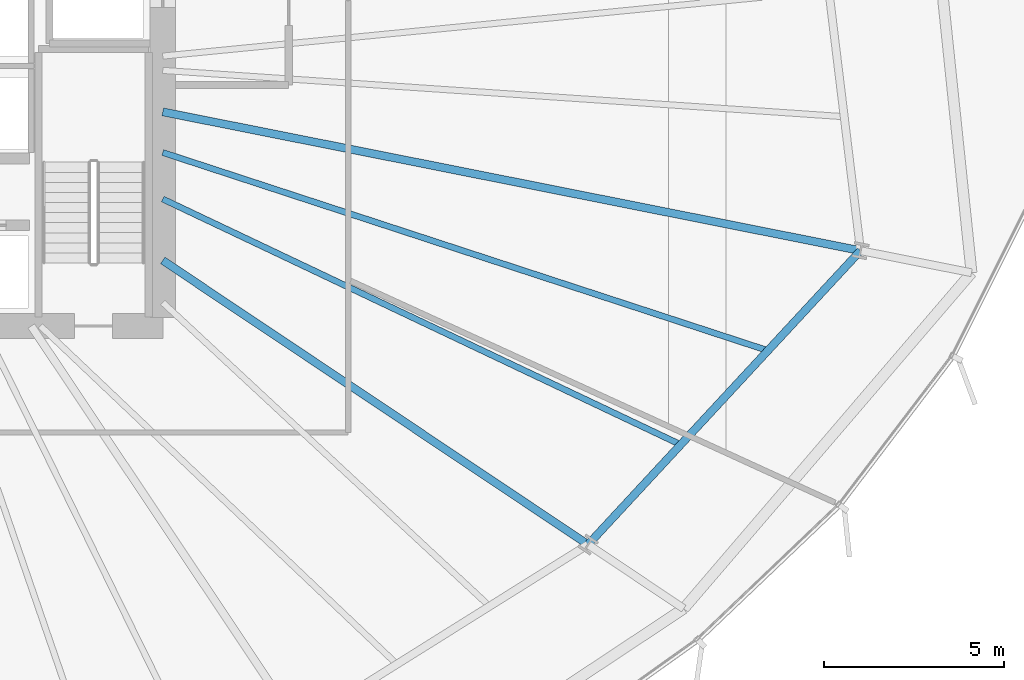
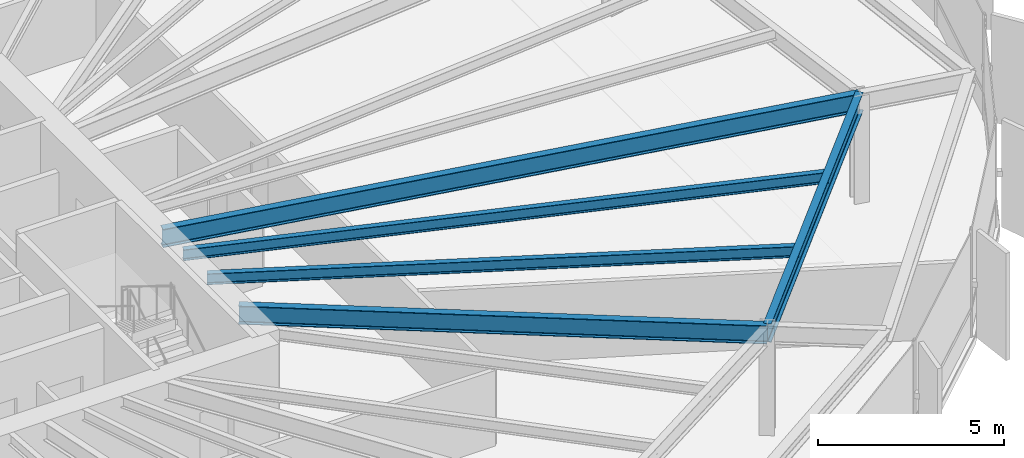
# One storey, part 15 of 38: 5 beams.
"""IFC4 building model written with IfcOpenShell, lengths in metres."""

from ifc_helpers import new_model, si_unit, direction, frame, origin, origin_2d, place, context, subcontext, project, spatial, i_section, extrude, source, transform, mapped, material, material_profile, profile_set, type_object, element, save


model = new_model("IFC4")

# Units and contexts
model_context = context("Model", 3, precision=1e-05, world=origin(), true_north=direction((0.0, 1.0)))
body_context = subcontext(model_context, "Body", "Model", "MODEL_VIEW")
ifc_project = project(units=[si_unit("LENGTHUNIT", "METRE"), si_unit("AREAUNIT", "SQUARE_METRE"), si_unit("VOLUMEUNIT", "CUBIC_METRE"), si_unit("PLANEANGLEUNIT", "RADIAN"), si_unit("MASSUNIT", "GRAM", prefix="KILO"), si_unit("THERMODYNAMICTEMPERATUREUNIT", "KELVIN")], contexts=[model_context])

# Site, building, storey
site_placement = place(None, origin())
site = spatial("IfcSite", under=ifc_project, at=site_placement, CompositionType="ELEMENT")
building_placement = place(site_placement, origin())
building = spatial("IfcBuilding", under=site, at=building_placement, Name="Kethvar Cultural Tower", CompositionType="ELEMENT")
storey_placement = place(building_placement, frame((0.0, 0.0, 63.800048828125)))
storey = spatial("IfcBuildingStorey", under=building, at=storey_placement, Name="L15", CompositionType="ELEMENT", Elevation=63.800048828125)

# Beams
ifc_material = material(Name="Steel S355J2", Category="steel")
ifc_material_profile_1 = material_profile(ifc_material, i_section(OverallWidth=0.219970703125, OverallDepth=0.60009765625, WebThickness=0.011962890625, FlangeThickness=0.01904296875, FilletRadius=0.02392578125, at=origin_2d()), Name="Steel S355J2 — IPE600")
ifc_profile_set_1 = profile_set([ifc_material_profile_1], Name="Steel S355J2 — IPE600")
beam_type_1 = type_object("IfcBeamType", Name="BM-IPE600", PredefinedType="BEAM", material=ifc_profile_set_1)
shared_shape_1 = source(origin(), body_context, "Body", "SweptSolid", [
    extrude(i_section(OverallWidth=0.219970703125, OverallDepth=0.60009765625, WebThickness=0.011962890625, FlangeThickness=0.01904296875, FilletRadius=0.02392578125, at=origin_2d()), origin(), (0.0, 0.0, 1.0), 14.2138671875),
])
beam_1_placement = place(storey_placement, frame((55.60009765625, 21.920166015625, 3.248046875), z_axis=(0.831463197362, -0.555579833537, 0.0), x_axis=(0.555579833537, 0.831463197362, 0.0)))
element("IfcBeam", 1, at=beam_1_placement, inside=storey, type_object=beam_type_1, Name="L15 Primary Radial Beam RB-15", PredefinedType="BEAM", context=body_context, shape_type="MappedRepresentation", body=[
    mapped(shared_shape_1, transform((0.0, 0.0, 0.0), scale=1.0)),
])
shared_shape_2 = source(origin(), body_context, "Body", "SweptSolid", [
    extrude(i_section(OverallWidth=0.219970703125, OverallDepth=0.60009765625, WebThickness=0.011962890625, FlangeThickness=0.01904296875, FilletRadius=0.02392578125, at=origin_2d()), origin(), (0.0, 0.0, 1.0), 19.77099609375),
])
beam_2_placement = place(storey_placement, frame((55.60009765625, 26.049560546875, 3.248046875), z_axis=(0.980784840197, -0.195092535068, 0.0), x_axis=(0.195092535068, 0.980784840197, 0.0)))
element("IfcBeam", 2, at=beam_2_placement, inside=storey, type_object=beam_type_1, Name="L15 Primary Radial Beam RB-16", PredefinedType="BEAM", context=body_context, shape_type="MappedRepresentation", body=[
    mapped(shared_shape_2, transform((0.0, 0.0, 0.0), scale=1.0)),
])
shared_shape_3 = source(origin(), body_context, "Body", "SweptSolid", [
    extrude(i_section(OverallWidth=0.219970703125, OverallDepth=0.60009765625, WebThickness=0.011962890625, FlangeThickness=0.01904296875, FilletRadius=0.02392578125, at=origin_2d()), origin(), (0.0, 0.0, 1.0), 11.13916015625),
])
beam_3_placement = place(storey_placement, frame((67.41845703125, 14.023193359375, 3.248046875), z_axis=(0.679827924457, 0.73337166098, 0.0), x_axis=(-0.73337166098, 0.679827924457, 0.0)))
element("IfcBeam", 3, at=beam_3_placement, inside=storey, type_object=beam_type_1, Name="L15 Column Ring Tie Beam CR-15", PredefinedType="BEAM", context=body_context, shape_type="MappedRepresentation", body=[
    mapped(shared_shape_3, transform((0.0, 0.0, 0.0), scale=1.0)),
])
ifc_material_profile_2 = material_profile(ifc_material, i_section(OverallWidth=0.169921875, OverallDepth=0.360107421875, WebThickness=0.008056640625, FlangeThickness=0.0126953125, FilletRadius=0.01806640625, at=origin_2d()), Name="Steel S355J2 — IPE360")
ifc_profile_set_2 = profile_set([ifc_material_profile_2], Name="Steel S355J2 — IPE360")
beam_type_2 = type_object("IfcBeamType", Name="BM-J360", PredefinedType="JOIST", material=ifc_profile_set_2)
shared_shape_4 = source(origin(), body_context, "Body", "SweptSolid", [
    extrude(i_section(OverallWidth=0.169921875, OverallDepth=0.360107421875, WebThickness=0.008056640625, FlangeThickness=0.0126953125, FilletRadius=0.01806640625, at=origin_2d()), origin(), (0.0, 0.0, 1.0), 15.9296875),
])
beam_4_placement = place(storey_placement, frame((55.60009765625, 23.626708984375, 3.367919921875), z_axis=(0.903539576646, -0.428504648089, 0.0), x_axis=(0.428504648089, 0.903539576646, 0.0)))
element("IfcBeam", 4, at=beam_4_placement, inside=storey, type_object=beam_type_2, Name="L15 Composite Floor Joist J-15A", PredefinedType="JOIST", context=body_context, shape_type="MappedRepresentation", body=[
    mapped(shared_shape_4, transform((0.0, 0.0, 0.0), scale=1.0)),
])
shared_shape_5 = source(origin(), body_context, "Body", "SweptSolid", [
    extrude(i_section(OverallWidth=0.169921875, OverallDepth=0.360107421875, WebThickness=0.008056640625, FlangeThickness=0.0126953125, FilletRadius=0.01806640625, at=origin_2d()), origin(), (0.0, 0.0, 1.0), 17.6943359375),
])
beam_5_placement = place(storey_placement, frame((55.60009765625, 24.91943359375, 3.367919921875), z_axis=(0.950378958587, -0.311094575773, 0.0), x_axis=(0.311094575773, 0.950378958587, 0.0)))
element("IfcBeam", 5, at=beam_5_placement, inside=storey, type_object=beam_type_2, Name="L15 Composite Floor Joist J-15B", PredefinedType="JOIST", context=body_context, shape_type="MappedRepresentation", body=[
    mapped(shared_shape_5, transform((0.0, 0.0, 0.0), scale=1.0)),
])

save(model, "model.ifc")
